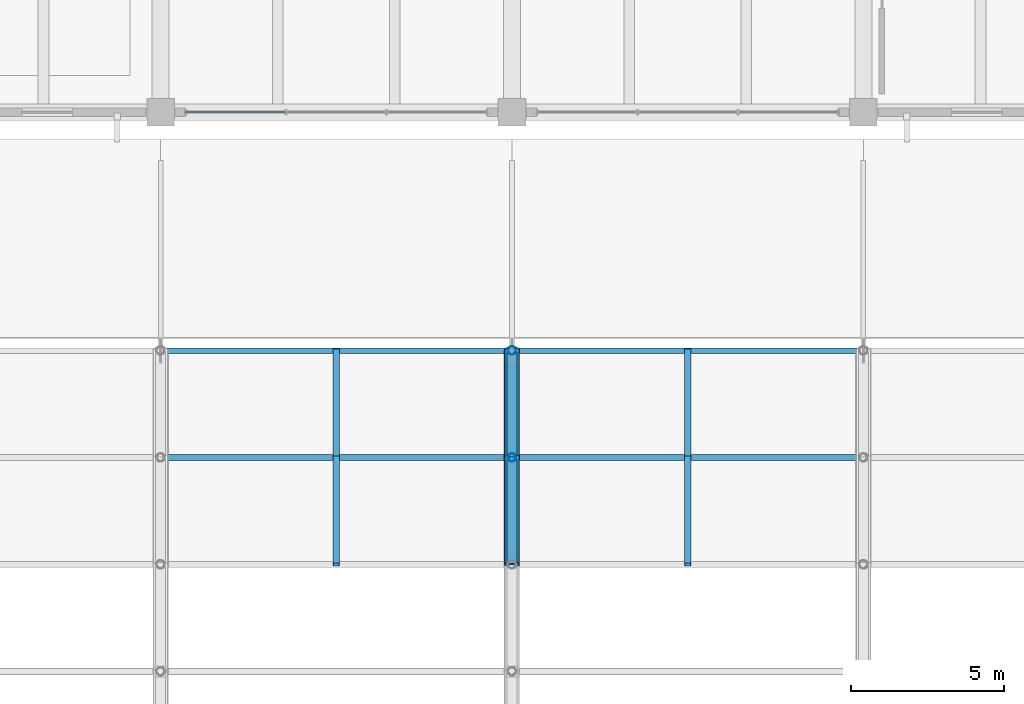
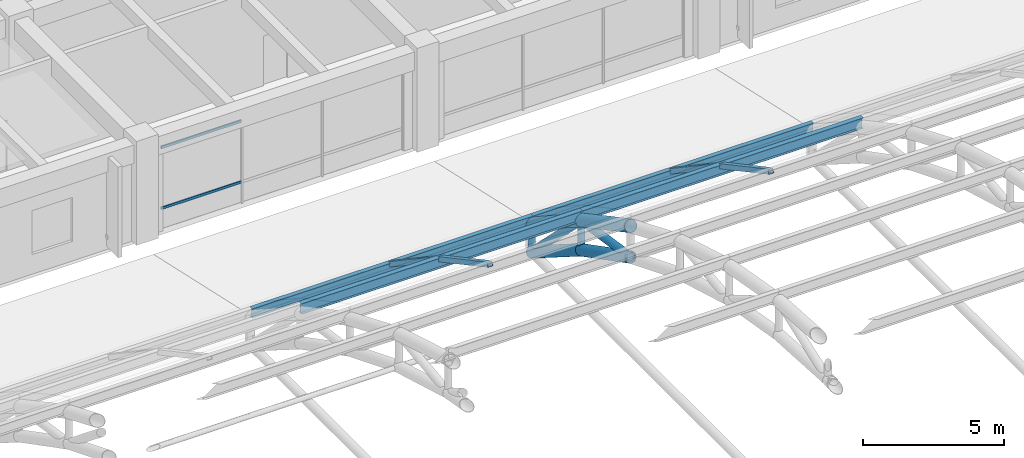
# One storey, part 111 of 154: 18 members, 1 element without a shape of its own.
"""IFC4 building model written with IfcOpenShell, lengths in metres."""

from ifc_helpers import new_model, si_unit, direction, frame, origin, origin_2d, place, context, subcontext, project, spatial, hollow_rectangle, hollow_circle, i_section, extrude, material, material_profile, profile_set, type_object, element, aggregate, save


model = new_model("IFC4")

# Units and contexts
model_context = context("Model", 3, precision=1e-05, world=origin(), true_north=direction((0.0, 1.0)))
body_context = subcontext(model_context, "Body", "Model", "MODEL_VIEW")
ifc_project = project(units=[si_unit("LENGTHUNIT", "METRE"), si_unit("AREAUNIT", "SQUARE_METRE"), si_unit("VOLUMEUNIT", "CUBIC_METRE"), si_unit("PLANEANGLEUNIT", "RADIAN"), si_unit("MASSUNIT", "GRAM", prefix="KILO")], contexts=[model_context])

# Site, building, storey
site_placement = place(None, origin())
site = spatial("IfcSite", under=ifc_project, at=site_placement, CompositionType="ELEMENT")
building_placement = place(site_placement, origin())
building = spatial("IfcBuilding", under=site, at=building_placement, Name="Ologun Quay Terminus", CompositionType="ELEMENT")
storey_placement = place(building_placement, frame((0.0, 0.0, 13.800048828125)))
storey = spatial("IfcBuildingStorey", under=building, at=storey_placement, Name="L03", CompositionType="ELEMENT", Elevation=13.800048828125)

# Members
ifc_material_1 = material(Name="Steel S355", Category="steel")
ifc_material_profile_1 = material_profile(ifc_material_1, hollow_circle(Radius=0.136474609375, WallThickness=0.010009765625, at=origin_2d()), Name="CHS 273x10")
ifc_profile_set_1 = profile_set([ifc_material_profile_1], Name="Steel S355")
member_type_1 = type_object("IfcMemberType", Name="Arch Truss Vertical Post CHS273", PredefinedType="STRUT", material=ifc_profile_set_1)
member_1_placement = place(storey_placement, frame((138.0, 74.5, 2.212158203125), z_axis=(0.0, 0.0, 1.0), x_axis=(1.0, 0.0, 0.0)))
element("IfcMember", 1, at=member_1_placement, inside=storey, type_object=member_type_1, Name="AW2 Arch Web Post 13-N11", PredefinedType="STRUT", context=body_context, shape_type="SweptSolid", body=[
    extrude(hollow_circle(Radius=0.136474609375, WallThickness=0.010009765625, at=origin_2d()), origin(), (0.0, 0.0, 1.0), 1.28564453125),
])
member_2_placement = place(storey_placement, frame((138.0, 78.0, 0.0), z_axis=(0.0, 0.0, 1.0), x_axis=(1.0, 0.0, 0.0)))
element("IfcMember", 2, at=member_2_placement, inside=storey, type_object=member_type_1, Name="AW2 Arch Web Post 13-N12", PredefinedType="STRUT", context=body_context, shape_type="SweptSolid", body=[
    extrude(hollow_circle(Radius=0.136474609375, WallThickness=0.010009765625, at=origin_2d()), origin(), (0.0, 0.0, 1.0), 1.199951171875),
])
ifc_material_2 = material(Name="Steel S355", Category="steel")
ifc_material_profile_2 = material_profile(ifc_material_2, hollow_circle(Radius=0.161865234375, WallThickness=0.010009765625, at=origin_2d()), Name="CHS 323.9x10")
ifc_profile_set_2 = profile_set([ifc_material_profile_2], Name="Steel S355")
member_type_2 = type_object("IfcMemberType", Name="Arch Truss Web Diagonal CHS323", PredefinedType="BRACE", material=ifc_profile_set_2)
member_3_placement = place(storey_placement, frame((138.0, 71.0, 4.022216796875), z_axis=(0.0, 0.988960627525, -0.148178531524), x_axis=(-1.0, 0.0, 0.0)))
element("IfcMember", 3, at=member_3_placement, inside=storey, type_object=member_type_2, Name="AW1 Arch Web Diagonal 13-P11", PredefinedType="BRACE", context=body_context, shape_type="SweptSolid", body=[
    extrude(hollow_circle(Radius=0.161865234375, WallThickness=0.010009765625, at=origin_2d()), origin(), (0.0, 0.0, 1.0), 3.5390625),
])
member_4_placement = place(storey_placement, frame((138.0, 74.5, 3.497802734375), z_axis=(0.0, 0.707328773357, -0.706884719301), x_axis=(-1.0, 0.0, 0.0)))
element("IfcMember", 4, at=member_4_placement, inside=storey, type_object=member_type_2, Name="AW1 Arch Web Diagonal 13-P12", PredefinedType="BRACE", context=body_context, shape_type="SweptSolid", body=[
    extrude(hollow_circle(Radius=0.161865234375, WallThickness=0.010009765625, at=origin_2d()), origin(), (0.0, 0.0, 1.0), 4.9482421875),
])

# Curtain wall, members
ifc_material_3 = material(Name="Aluminium 6063-T6", Category="aluminium")
curtain_wall_type = type_object("IfcCurtainWallType", Name="Waterfront Pavilion Harbour Curtain Wall L03 10600x4150", PredefinedType="USERDEFINED", material=ifc_material_3)
curtain_wall_placement = place(storey_placement, origin())
curtain_wall = element("IfcCurtainWall", 5, at=curtain_wall_placement, inside=storey, type_object=curtain_wall_type, Name="CW-25 Curtain Wall CW-L03-138", ObjectType="UNITISED CURTAIN WALL", PredefinedType="USERDEFINED")
ifc_material_4 = material(Name="Aluminium 6063-T6", Category="aluminium")
ifc_material_profile_3 = material_profile(ifc_material_4, hollow_rectangle(XDim=0.054931640625, YDim=0.110107421875, WallThickness=0.00390625, at=origin_2d()), Name="ALU 110x55x4")
ifc_profile_set_3 = profile_set([ifc_material_profile_3], Name="Aluminium 6063-T6")
member_type_3 = type_object("IfcMemberType", Name="Courtyard Screen Transom 110x55", PredefinedType="USERDEFINED", material=ifc_profile_set_3)
member_5_placement = place(storey_placement, frame((127.320068359375, 85.800048828125, 0.89990234375), z_axis=(1.0, 0.0, 0.0), x_axis=(0.0, 1.0, 0.0)))
member_5 = element("IfcMember", 6, at=member_5_placement, type_object=member_type_3, Name="CW-L03-138 Transom B1-1", ObjectType="TRANSOM", PredefinedType="USERDEFINED", context=body_context, shape_type="SweptSolid", body=[
    extrude(hollow_rectangle(XDim=0.054931640625, YDim=0.110107421875, WallThickness=0.00390625, at=origin_2d()), origin(), (0.0, 0.0, 1.0), 3.28662109375),
])
member_6_placement = place(storey_placement, frame((127.320068359375, 85.800048828125, 3.530029296875), z_axis=(1.0, 0.0, 0.0), x_axis=(0.0, 1.0, 0.0)))
member_6 = element("IfcMember", 7, at=member_6_placement, type_object=member_type_3, Name="CW-L03-138 Transom B1-2", ObjectType="TRANSOM", PredefinedType="USERDEFINED", context=body_context, shape_type="SweptSolid", body=[
    extrude(hollow_rectangle(XDim=0.054931640625, YDim=0.110107421875, WallThickness=0.00390625, at=origin_2d()), origin(), (0.0, 0.0, 1.0), 3.28662109375),
])
aggregate(curtain_wall, [member_5, member_6])

# Members
ifc_material_5 = material(Name="Steel S355", Category="steel")
ifc_material_profile_4 = material_profile(ifc_material_5, hollow_circle(Radius=0.228515625, WallThickness=0.01611328125, at=origin_2d()), Name="CHS 457x16")
ifc_profile_set_4 = profile_set([ifc_material_profile_4], Name="Steel S355")
member_type_4 = type_object("IfcMemberType", Name="Parabolic Arch Bottom Chord CHS457", PredefinedType="CHORD", material=ifc_profile_set_4)
member_7_placement = place(storey_placement, frame((138.0, 71.0, 4.022216796875), z_axis=(0.0, 0.888247284083, -0.459365608551), x_axis=(-1.0, 0.0, 0.0)))
element("IfcMember", 8, at=member_7_placement, inside=storey, type_object=member_type_4, Name="AC2 Arch Bottom Chord 13-P11", PredefinedType="CHORD", context=body_context, shape_type="SweptSolid", body=[
    extrude(hollow_circle(Radius=0.228515625, WallThickness=0.01611328125, at=origin_2d()), origin(), (0.0, 0.0, 1.0), 3.9404296875),
])
member_8_placement = place(storey_placement, frame((138.0, 74.5, 2.212158203125), z_axis=(0.0, 0.845310912611, -0.534274705578), x_axis=(-1.0, 0.0, 0.0)))
element("IfcMember", 9, at=member_8_placement, inside=storey, type_object=member_type_4, Name="AC2 Arch Bottom Chord 13-P12", PredefinedType="CHORD", context=body_context, shape_type="SweptSolid", body=[
    extrude(hollow_circle(Radius=0.228515625, WallThickness=0.01611328125, at=origin_2d()), origin(), (0.0, 0.0, 1.0), 4.140380859375),
])
ifc_material_6 = material(Name="Steel S355", Category="steel")
ifc_material_profile_5 = material_profile(ifc_material_6, hollow_circle(Radius=0.25390625, WallThickness=0.01611328125, at=origin_2d()), Name="CHS 508x16")
ifc_profile_set_5 = profile_set([ifc_material_profile_5], Name="Steel S355")
member_type_5 = type_object("IfcMemberType", Name="Parabolic Arch Top Chord CHS508", PredefinedType="CHORD", material=ifc_profile_set_5)
member_9_placement = place(storey_placement, frame((138.0, 71.0, 5.377685546875), z_axis=(0.0, 0.880967864924, -0.473176099324), x_axis=(-1.0, 0.0, 0.0)))
element("IfcMember", 10, at=member_9_placement, inside=storey, type_object=member_type_5, Name="Arch Top Chord 13-P11", PredefinedType="CHORD", context=body_context, shape_type="SweptSolid", body=[
    extrude(hollow_circle(Radius=0.25390625, WallThickness=0.01611328125, at=origin_2d()), origin(), (0.0, 0.0, 1.0), 3.972900390625),
])
member_10_placement = place(storey_placement, frame((138.0, 74.5, 3.497802734375), z_axis=(0.0, 0.835940905918, -0.548819461949), x_axis=(-1.0, 0.0, 0.0)))
element("IfcMember", 11, at=member_10_placement, inside=storey, type_object=member_type_5, Name="Arch Top Chord 13-P12", PredefinedType="CHORD", context=body_context, shape_type="SweptSolid", body=[
    extrude(hollow_circle(Radius=0.25390625, WallThickness=0.01611328125, at=origin_2d()), origin(), (0.0, 0.0, 1.0), 4.18701171875),
])
ifc_material_7 = material(Name="Steel S355", Category="steel")
ifc_material_profile_6 = material_profile(ifc_material_7, hollow_rectangle(XDim=0.199951171875, YDim=0.199951171875, WallThickness=0.008056640625, at=origin_2d()), Name="SHS 200x200x8")
ifc_profile_set_6 = profile_set([ifc_material_profile_6], Name="Steel S355")
member_type_6 = type_object("IfcMemberType", Name="Skylight Cross Transom Bar RHS150", PredefinedType="STRUT", material=ifc_profile_set_6)
member_11_placement = place(storey_placement, frame((132.25, 71.0, 5.731689453125), z_axis=(0.0, 0.880967864924, -0.473176099324), x_axis=(-1.0, 0.0, 0.0)))
element("IfcMember", 12, at=member_11_placement, inside=storey, type_object=member_type_6, Name="SK2 Eave Secondary Rafter B12-P11", PredefinedType="STRUT", context=body_context, shape_type="SweptSolid", body=[
    extrude(hollow_rectangle(XDim=0.199951171875, YDim=0.199951171875, WallThickness=0.008056640625, at=origin_2d()), origin(), (0.0, 0.0, 1.0), 3.972900390625),
])
member_12_placement = place(storey_placement, frame((132.25, 74.5, 3.851806640625), z_axis=(0.0, 0.830398014247, -0.55717065423), x_axis=(-1.0, 0.0, 0.0)))
element("IfcMember", 13, at=member_12_placement, inside=storey, type_object=member_type_6, Name="SK2 Eave Secondary Rafter B12-P12", PredefinedType="STRUT", context=body_context, shape_type="SweptSolid", body=[
    extrude(hollow_rectangle(XDim=0.199951171875, YDim=0.199951171875, WallThickness=0.008056640625, at=origin_2d()), origin(), (0.0, 0.0, 1.0), 4.21484375),
])
member_13_placement = place(storey_placement, frame((143.75, 71.0, 5.731689453125), z_axis=(0.0, 0.880967864924, -0.473176099324), x_axis=(-1.0, 0.0, 0.0)))
element("IfcMember", 14, at=member_13_placement, inside=storey, type_object=member_type_6, Name="SK2 Eave Secondary Rafter B13-P11", PredefinedType="STRUT", context=body_context, shape_type="SweptSolid", body=[
    extrude(hollow_rectangle(XDim=0.199951171875, YDim=0.199951171875, WallThickness=0.008056640625, at=origin_2d()), origin(), (0.0, 0.0, 1.0), 3.972900390625),
])
member_14_placement = place(storey_placement, frame((143.75, 74.5, 3.851806640625), z_axis=(0.0, 0.830398014247, -0.55717065423), x_axis=(-1.0, 0.0, 0.0)))
element("IfcMember", 15, at=member_14_placement, inside=storey, type_object=member_type_6, Name="SK2 Eave Secondary Rafter B13-P12", PredefinedType="STRUT", context=body_context, shape_type="SweptSolid", body=[
    extrude(hollow_rectangle(XDim=0.199951171875, YDim=0.199951171875, WallThickness=0.008056640625, at=origin_2d()), origin(), (0.0, 0.0, 1.0), 4.21484375),
])
ifc_material_8 = material(Name="Steel S355", Category="steel")
ifc_material_profile_7 = material_profile(ifc_material_8, i_section(OverallWidth=0.177978515625, OverallDepth=0.406494140625, WebThickness=0.0078125, FlangeThickness=0.0126953125, at=origin_2d()), Name="UKB 406x178x60")
ifc_profile_set_7 = profile_set([ifc_material_profile_7], Name="Steel S355")
member_type_7 = type_object("IfcMemberType", Name="Train Shed Eave & Ridge Purlin UKB406", PredefinedType="PURLIN", material=ifc_profile_set_7)
for number, where, z_axis, x_axis, name in (
    (16, (126.5, 78.0, 1.403076171875), (1.0, 0.0, 0.0), (0.0, 1.0, 0.0), "PR2 Roof Purlin B12-N12"),
    (17, (138.0, 78.0, 1.403076171875), (1.0, 0.0, 0.0), (0.0, 1.0, 0.0), "PR2 Roof Purlin B13-N12"),
):
    element("IfcMember", number, at=place(storey_placement, frame(where, z_axis=z_axis, x_axis=x_axis)), inside=storey, type_object=member_type_7, Name=name, PredefinedType="PURLIN", context=body_context, shape_type="SweptSolid", body=[
        extrude(i_section(OverallWidth=0.177978515625, OverallDepth=0.406494140625, WebThickness=0.0078125, FlangeThickness=0.0126953125, at=origin_2d()), origin(), (0.0, 0.0, 1.0), 11.5),
    ])
ifc_material_9 = material(Name="Steel S355", Category="steel")
ifc_material_profile_8 = material_profile(ifc_material_9, i_section(OverallWidth=0.1904296875, OverallDepth=0.45703125, WebThickness=0.009033203125, FlangeThickness=0.014404296875, at=origin_2d()), Name="UKB 457x191x74")
ifc_profile_set_8 = profile_set([ifc_material_profile_8], Name="Steel S355")
member_type_8 = type_object("IfcMemberType", Name="Train Shed Primary Roof Purlin UKB457", PredefinedType="PURLIN", material=ifc_profile_set_8)
for number, where, z_axis, x_axis, name in (
    (18, (126.5, 74.5, 3.726318359375), (1.0, 0.0, 0.0), (0.0, 1.0, 0.0), "PR1 Roof Purlin B12-N11"),
    (19, (138.0, 74.5, 3.726318359375), (1.0, 0.0, 0.0), (0.0, 1.0, 0.0), "PR1 Roof Purlin B13-N11"),
):
    element("IfcMember", number, at=place(storey_placement, frame(where, z_axis=z_axis, x_axis=x_axis)), inside=storey, type_object=member_type_8, Name=name, PredefinedType="PURLIN", context=body_context, shape_type="SweptSolid", body=[
        extrude(i_section(OverallWidth=0.1904296875, OverallDepth=0.45703125, WebThickness=0.009033203125, FlangeThickness=0.014404296875, at=origin_2d()), origin(), (0.0, 0.0, 1.0), 11.5),
    ])

save(model, "model.ifc")
